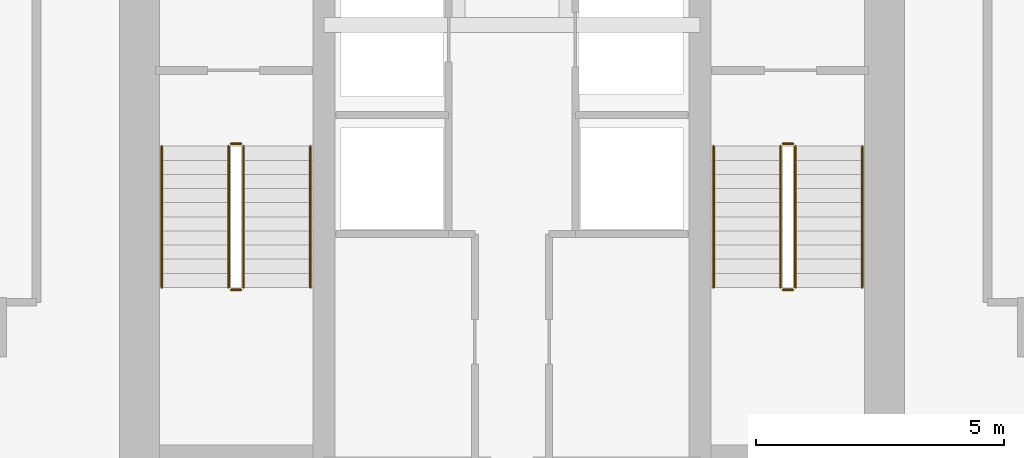
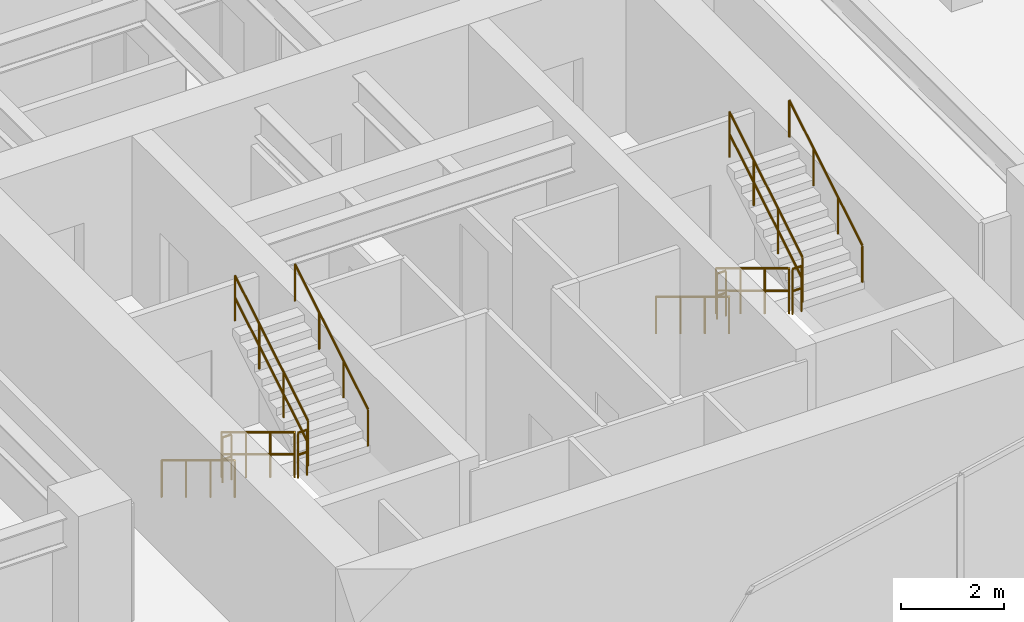
# One storey, part 19 of 19: 12 railings.
"""IFC4 building model written with IfcOpenShell, lengths in metres."""

from ifc_helpers import new_model, si_unit, direction, frame, origin, origin_2d, place, context, subcontext, project, spatial, circle, extrude, material, layer, layer_set, type_object, element, save


model = new_model("IFC4")

# Units and contexts
model_context = context("Model", 3, precision=1e-05, world=origin(), true_north=direction((0.0, 1.0)))
body_context = subcontext(model_context, "Body", "Model", "MODEL_VIEW")
ifc_project = project(units=[si_unit("LENGTHUNIT", "METRE"), si_unit("AREAUNIT", "SQUARE_METRE"), si_unit("VOLUMEUNIT", "CUBIC_METRE"), si_unit("PLANEANGLEUNIT", "RADIAN"), si_unit("MASSUNIT", "GRAM", prefix="KILO")], contexts=[model_context])

# Site, building, storey
site_placement = place(None, origin())
site = spatial("IfcSite", under=ifc_project, at=site_placement, CompositionType="ELEMENT")
building_placement = place(site_placement, origin())
building = spatial("IfcBuilding", under=site, at=building_placement, Name="Krantzveldt Concourse Tower", CompositionType="ELEMENT")
storey_placement = place(building_placement, frame((0.0, 0.0, 363.25)))
storey = spatial("IfcBuildingStorey", under=building, at=storey_placement, Name="L89", CompositionType="ELEMENT", Elevation=363.25)

# Railings
ifc_material = material(Name="Stainless steel 316L", Category="steel")
ifc_layer_1 = layer(ifc_material, 0.06005859375, Name="Stainless steel 316L", Category="steel")
ifc_layer_set_1 = layer_set([ifc_layer_1], Name="Stainless steel 316L (RL-GUARD-1120)")
railing_type_1 = type_object("IfcRailingType", Name="RL-GUARD-1120", PredefinedType="GUARDRAIL", material=ifc_layer_set_1)
railing_1_placement = place(storey_placement, frame((30.280029296875, 19.550048828125, 0.172607421875)))
element("IfcRailing", 1, at=railing_1_placement, inside=storey, type_object=railing_type_1, Name="L89 ST-1 stair guard 1", PredefinedType="GUARDRAIL", context=body_context, shape_type="SweptSolid", body=[
    extrude(circle(Radius=0.02392578125, at=origin_2d()), frame((0.0, 0.0, 1.076171875), z_axis=(0.0, -0.855202751398, 0.518293598264), x_axis=(1.0, 0.0, 0.0)), (0.0, 0.0, 1.0), 3.332763671875),
    extrude(circle(Radius=0.02392578125, at=origin_2d()), frame((0.0, 0.0, 0.550048828125), z_axis=(0.0, -0.855202751398, 0.518293598264), x_axis=(1.0, 0.0, 0.0)), (0.0, 0.0, 1.0), 3.332763671875),
    extrude(circle(Radius=0.02099609375, at=origin_2d()), origin(), (0.0, 0.0, 1.0), 1.052001953125),
    extrude(circle(Radius=0.02099609375, at=origin_2d()), frame((0.0, -0.949951171875, 0.57568359375)), (0.0, 0.0, 1.0), 1.052001953125),
    extrude(circle(Radius=0.02099609375, at=origin_2d()), frame((0.0, -1.900146484375, 1.151611328125)), (0.0, 0.0, 1.0), 1.052001953125),
    extrude(circle(Radius=0.02099609375, at=origin_2d()), frame((0.0, -2.85009765625, 1.727294921875)), (0.0, 0.0, 1.0), 1.052001953125),
])
railing_2_placement = place(storey_placement, frame((30.330078125, 16.64990234375, 1.89990234375)))
element("IfcRailing", 2, at=railing_2_placement, inside=storey, type_object=railing_type_1, Name="L89 ST-1 stair guard 2", PredefinedType="GUARDRAIL", context=body_context, shape_type="SweptSolid", body=[
    extrude(circle(Radius=0.02392578125, at=origin_2d()), frame((0.0, 0.0, 1.076171875), z_axis=(1.0, 0.0, 0.0), x_axis=(0.0, 1.0, 0.0)), (0.0, 0.0, 1.0), 0.199951171875),
    extrude(circle(Radius=0.02392578125, at=origin_2d()), frame((0.0, 0.0, 0.550048828125), z_axis=(1.0, 0.0, 0.0), x_axis=(0.0, 1.0, 0.0)), (0.0, 0.0, 1.0), 0.199951171875),
    extrude(circle(Radius=0.02099609375, at=origin_2d()), origin(), (0.0, 0.0, 1.0), 1.052001953125),
    extrude(circle(Radius=0.02099609375, at=origin_2d()), frame((0.199951171875, 0.0, 0.0)), (0.0, 0.0, 1.0), 1.052001953125),
])
railing_3_placement = place(storey_placement, frame((30.580078125, 16.699951171875, 2.07275390625)))
element("IfcRailing", 3, at=railing_3_placement, inside=storey, type_object=railing_type_1, Name="L89 ST-1 stair guard 3", PredefinedType="GUARDRAIL", context=body_context, shape_type="SweptSolid", body=[
    extrude(circle(Radius=0.02392578125, at=origin_2d()), frame((0.0, 0.0, 1.076171875), z_axis=(0.0, 0.855202751398, 0.518293598264), x_axis=(-1.0, 0.0, 0.0)), (0.0, 0.0, 1.0), 3.332763671875),
    extrude(circle(Radius=0.02392578125, at=origin_2d()), frame((0.0, 0.0, 0.550048828125), z_axis=(0.0, 0.855202751398, 0.518293598264), x_axis=(-1.0, 0.0, 0.0)), (0.0, 0.0, 1.0), 3.332763671875),
    extrude(circle(Radius=0.02099609375, at=origin_2d()), origin(), (0.0, 0.0, 1.0), 1.052001953125),
    extrude(circle(Radius=0.02099609375, at=origin_2d()), frame((0.0, 0.949951171875, 0.57568359375)), (0.0, 0.0, 1.0), 1.052001953125),
    extrude(circle(Radius=0.02099609375, at=origin_2d()), frame((0.0, 1.900146484375, 1.151611328125)), (0.0, 0.0, 1.0), 1.052001953125),
    extrude(circle(Radius=0.02099609375, at=origin_2d()), frame((0.0, 2.85009765625, 1.727294921875)), (0.0, 0.0, 1.0), 1.052001953125),
])
railing_4_placement = place(storey_placement, frame((30.330078125, 19.60009765625, 0.0)))
element("IfcRailing", 4, at=railing_4_placement, inside=storey, type_object=railing_type_1, Name="L89 ST-1 stair guard 4", PredefinedType="GUARDRAIL", context=body_context, shape_type="SweptSolid", body=[
    extrude(circle(Radius=0.02392578125, at=origin_2d()), frame((0.0, 0.0, 1.076171875), z_axis=(1.0, 0.0, 0.0), x_axis=(0.0, 1.0, 0.0)), (0.0, 0.0, 1.0), 0.199951171875),
    extrude(circle(Radius=0.02392578125, at=origin_2d()), frame((0.0, 0.0, 0.550048828125), z_axis=(1.0, 0.0, 0.0), x_axis=(0.0, 1.0, 0.0)), (0.0, 0.0, 1.0), 0.199951171875),
    extrude(circle(Radius=0.02099609375, at=origin_2d()), origin(), (0.0, 0.0, 1.0), 1.052001953125),
    extrude(circle(Radius=0.02099609375, at=origin_2d()), frame((0.199951171875, 0.0, 0.0)), (0.0, 0.0, 1.0), 1.052001953125),
])
railing_5_placement = place(storey_placement, frame((41.419921875, 19.550048828125, 0.172607421875)))
element("IfcRailing", 5, at=railing_5_placement, inside=storey, type_object=railing_type_1, Name="L89 ST-2 stair guard 1", PredefinedType="GUARDRAIL", context=body_context, shape_type="SweptSolid", body=[
    extrude(circle(Radius=0.02392578125, at=origin_2d()), frame((0.0, 0.0, 1.076171875), z_axis=(0.0, -0.855202751398, 0.518293598264), x_axis=(1.0, 0.0, 0.0)), (0.0, 0.0, 1.0), 3.332763671875),
    extrude(circle(Radius=0.02392578125, at=origin_2d()), frame((0.0, 0.0, 0.550048828125), z_axis=(0.0, -0.855202751398, 0.518293598264), x_axis=(1.0, 0.0, 0.0)), (0.0, 0.0, 1.0), 3.332763671875),
    extrude(circle(Radius=0.02099609375, at=origin_2d()), origin(), (0.0, 0.0, 1.0), 1.052001953125),
    extrude(circle(Radius=0.02099609375, at=origin_2d()), frame((0.0, -0.949951171875, 0.57568359375)), (0.0, 0.0, 1.0), 1.052001953125),
    extrude(circle(Radius=0.02099609375, at=origin_2d()), frame((0.0, -1.900146484375, 1.151611328125)), (0.0, 0.0, 1.0), 1.052001953125),
    extrude(circle(Radius=0.02099609375, at=origin_2d()), frame((0.0, -2.85009765625, 1.727294921875)), (0.0, 0.0, 1.0), 1.052001953125),
])
railing_6_placement = place(storey_placement, frame((41.469970703125, 16.64990234375, 1.89990234375)))
element("IfcRailing", 6, at=railing_6_placement, inside=storey, type_object=railing_type_1, Name="L89 ST-2 stair guard 2", PredefinedType="GUARDRAIL", context=body_context, shape_type="SweptSolid", body=[
    extrude(circle(Radius=0.02392578125, at=origin_2d()), frame((0.0, 0.0, 1.076171875), z_axis=(1.0, 0.0, 0.0), x_axis=(0.0, 1.0, 0.0)), (0.0, 0.0, 1.0), 0.199951171875),
    extrude(circle(Radius=0.02392578125, at=origin_2d()), frame((0.0, 0.0, 0.550048828125), z_axis=(1.0, 0.0, 0.0), x_axis=(0.0, 1.0, 0.0)), (0.0, 0.0, 1.0), 0.199951171875),
    extrude(circle(Radius=0.02099609375, at=origin_2d()), origin(), (0.0, 0.0, 1.0), 1.052001953125),
    extrude(circle(Radius=0.02099609375, at=origin_2d()), frame((0.199951171875, 0.0, 0.0)), (0.0, 0.0, 1.0), 1.052001953125),
])
railing_7_placement = place(storey_placement, frame((41.719970703125, 16.699951171875, 2.07275390625)))
element("IfcRailing", 7, at=railing_7_placement, inside=storey, type_object=railing_type_1, Name="L89 ST-2 stair guard 3", PredefinedType="GUARDRAIL", context=body_context, shape_type="SweptSolid", body=[
    extrude(circle(Radius=0.02392578125, at=origin_2d()), frame((0.0, 0.0, 1.076171875), z_axis=(0.0, 0.855202751398, 0.518293598264), x_axis=(-1.0, 0.0, 0.0)), (0.0, 0.0, 1.0), 3.332763671875),
    extrude(circle(Radius=0.02392578125, at=origin_2d()), frame((0.0, 0.0, 0.550048828125), z_axis=(0.0, 0.855202751398, 0.518293598264), x_axis=(-1.0, 0.0, 0.0)), (0.0, 0.0, 1.0), 3.332763671875),
    extrude(circle(Radius=0.02099609375, at=origin_2d()), origin(), (0.0, 0.0, 1.0), 1.052001953125),
    extrude(circle(Radius=0.02099609375, at=origin_2d()), frame((0.0, 0.949951171875, 0.57568359375)), (0.0, 0.0, 1.0), 1.052001953125),
    extrude(circle(Radius=0.02099609375, at=origin_2d()), frame((0.0, 1.900146484375, 1.151611328125)), (0.0, 0.0, 1.0), 1.052001953125),
    extrude(circle(Radius=0.02099609375, at=origin_2d()), frame((0.0, 2.85009765625, 1.727294921875)), (0.0, 0.0, 1.0), 1.052001953125),
])
railing_8_placement = place(storey_placement, frame((41.469970703125, 19.60009765625, 0.0)))
element("IfcRailing", 8, at=railing_8_placement, inside=storey, type_object=railing_type_1, Name="L89 ST-2 stair guard 4", PredefinedType="GUARDRAIL", context=body_context, shape_type="SweptSolid", body=[
    extrude(circle(Radius=0.02392578125, at=origin_2d()), frame((0.0, 0.0, 1.076171875), z_axis=(1.0, 0.0, 0.0), x_axis=(0.0, 1.0, 0.0)), (0.0, 0.0, 1.0), 0.199951171875),
    extrude(circle(Radius=0.02392578125, at=origin_2d()), frame((0.0, 0.0, 0.550048828125), z_axis=(1.0, 0.0, 0.0), x_axis=(0.0, 1.0, 0.0)), (0.0, 0.0, 1.0), 0.199951171875),
    extrude(circle(Radius=0.02099609375, at=origin_2d()), origin(), (0.0, 0.0, 1.0), 1.052001953125),
    extrude(circle(Radius=0.02099609375, at=origin_2d()), frame((0.199951171875, 0.0, 0.0)), (0.0, 0.0, 1.0), 1.052001953125),
])
ifc_layer_2 = layer(ifc_material, 0.050048828125, Name="Stainless steel 316L", Category="steel")
ifc_layer_set_2 = layer_set([ifc_layer_2], Name="Stainless steel 316L (RL-HANDRAIL-920)")
railing_type_2 = type_object("IfcRailingType", Name="RL-HANDRAIL-920", PredefinedType="HANDRAIL", material=ifc_layer_set_2)
railing_9_placement = place(storey_placement, frame((28.929931640625, 19.550048828125, 0.172607421875)))
element("IfcRailing", 9, at=railing_9_placement, inside=storey, type_object=railing_type_2, Name="L89 ST-1 stair handrail 1", PredefinedType="HANDRAIL", context=body_context, shape_type="SweptSolid", body=[
    extrude(circle(Radius=0.02392578125, at=origin_2d()), frame((0.0, 0.0, 0.8759765625), z_axis=(0.0, -0.855202751398, 0.518293598264), x_axis=(1.0, 0.0, 0.0)), (0.0, 0.0, 1.0), 3.332763671875),
    extrude(circle(Radius=0.02099609375, at=origin_2d()), origin(), (0.0, 0.0, 1.0), 0.851806640625),
    extrude(circle(Radius=0.02099609375, at=origin_2d()), frame((0.0, -0.949951171875, 0.57568359375)), (0.0, 0.0, 1.0), 0.851806640625),
    extrude(circle(Radius=0.02099609375, at=origin_2d()), frame((0.0, -1.900146484375, 1.151611328125)), (0.0, 0.0, 1.0), 0.851806640625),
    extrude(circle(Radius=0.02099609375, at=origin_2d()), frame((0.0, -2.85009765625, 1.727294921875)), (0.0, 0.0, 1.0), 0.851806640625),
])
railing_10_placement = place(storey_placement, frame((31.929931640625, 16.699951171875, 2.07275390625)))
element("IfcRailing", 10, at=railing_10_placement, inside=storey, type_object=railing_type_2, Name="L89 ST-1 stair handrail 2", PredefinedType="HANDRAIL", context=body_context, shape_type="SweptSolid", body=[
    extrude(circle(Radius=0.02392578125, at=origin_2d()), frame((0.0, 0.0, 0.8759765625), z_axis=(0.0, 0.855202751398, 0.518293598264), x_axis=(-1.0, 0.0, 0.0)), (0.0, 0.0, 1.0), 3.332763671875),
    extrude(circle(Radius=0.02099609375, at=origin_2d()), origin(), (0.0, 0.0, 1.0), 0.851806640625),
    extrude(circle(Radius=0.02099609375, at=origin_2d()), frame((0.0, 0.949951171875, 0.57568359375)), (0.0, 0.0, 1.0), 0.851806640625),
    extrude(circle(Radius=0.02099609375, at=origin_2d()), frame((0.0, 1.900146484375, 1.151611328125)), (0.0, 0.0, 1.0), 0.851806640625),
    extrude(circle(Radius=0.02099609375, at=origin_2d()), frame((0.0, 2.85009765625, 1.727294921875)), (0.0, 0.0, 1.0), 0.851806640625),
])
railing_11_placement = place(storey_placement, frame((40.070068359375, 19.550048828125, 0.172607421875)))
element("IfcRailing", 11, at=railing_11_placement, inside=storey, type_object=railing_type_2, Name="L89 ST-2 stair handrail 1", PredefinedType="HANDRAIL", context=body_context, shape_type="SweptSolid", body=[
    extrude(circle(Radius=0.02392578125, at=origin_2d()), frame((0.0, 0.0, 0.8759765625), z_axis=(0.0, -0.855202751398, 0.518293598264), x_axis=(1.0, 0.0, 0.0)), (0.0, 0.0, 1.0), 3.332763671875),
    extrude(circle(Radius=0.02099609375, at=origin_2d()), origin(), (0.0, 0.0, 1.0), 0.851806640625),
    extrude(circle(Radius=0.02099609375, at=origin_2d()), frame((0.0, -0.949951171875, 0.57568359375)), (0.0, 0.0, 1.0), 0.851806640625),
    extrude(circle(Radius=0.02099609375, at=origin_2d()), frame((0.0, -1.900146484375, 1.151611328125)), (0.0, 0.0, 1.0), 0.851806640625),
    extrude(circle(Radius=0.02099609375, at=origin_2d()), frame((0.0, -2.85009765625, 1.727294921875)), (0.0, 0.0, 1.0), 0.851806640625),
])
railing_12_placement = place(storey_placement, frame((43.070068359375, 16.699951171875, 2.07275390625)))
element("IfcRailing", 12, at=railing_12_placement, inside=storey, type_object=railing_type_2, Name="L89 ST-2 stair handrail 2", PredefinedType="HANDRAIL", context=body_context, shape_type="SweptSolid", body=[
    extrude(circle(Radius=0.02392578125, at=origin_2d()), frame((0.0, 0.0, 0.8759765625), z_axis=(0.0, 0.855202751398, 0.518293598264), x_axis=(-1.0, 0.0, 0.0)), (0.0, 0.0, 1.0), 3.332763671875),
    extrude(circle(Radius=0.02099609375, at=origin_2d()), origin(), (0.0, 0.0, 1.0), 0.851806640625),
    extrude(circle(Radius=0.02099609375, at=origin_2d()), frame((0.0, 0.949951171875, 0.57568359375)), (0.0, 0.0, 1.0), 0.851806640625),
    extrude(circle(Radius=0.02099609375, at=origin_2d()), frame((0.0, 1.900146484375, 1.151611328125)), (0.0, 0.0, 1.0), 0.851806640625),
    extrude(circle(Radius=0.02099609375, at=origin_2d()), frame((0.0, 2.85009765625, 1.727294921875)), (0.0, 0.0, 1.0), 0.851806640625),
])

save(model, "model.ifc")
